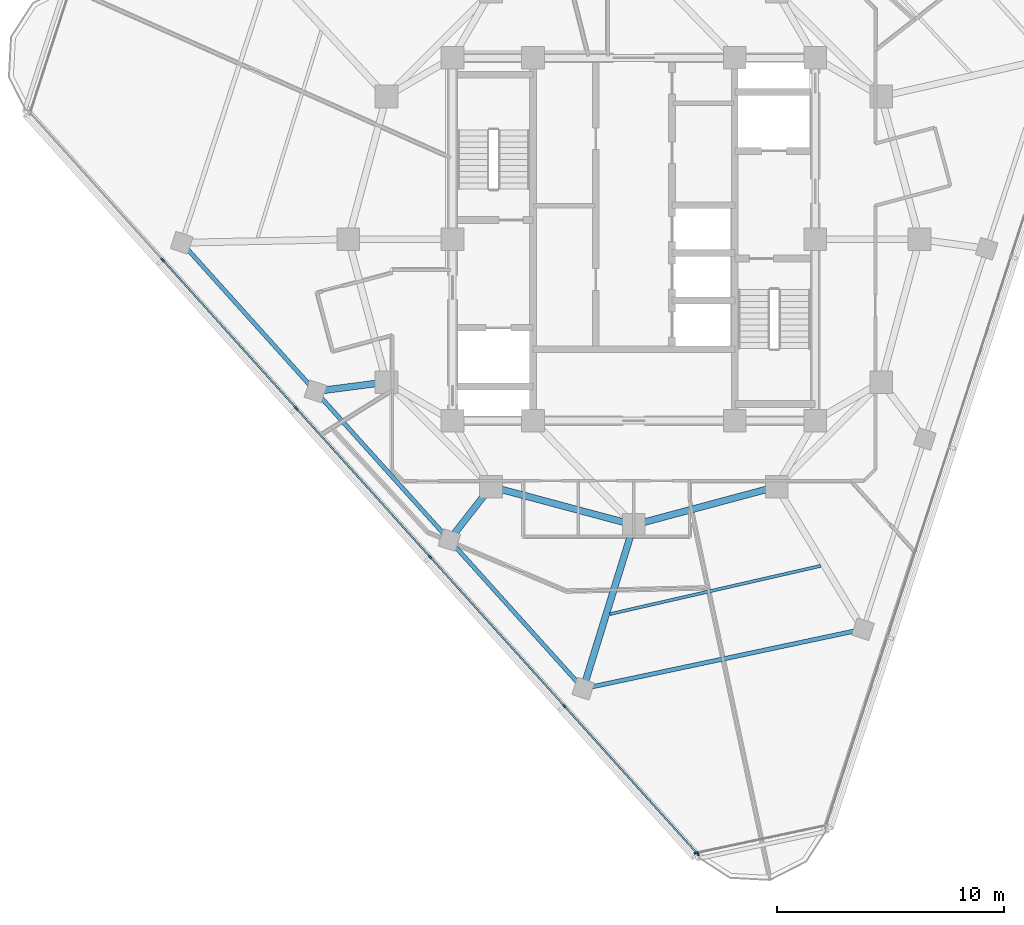
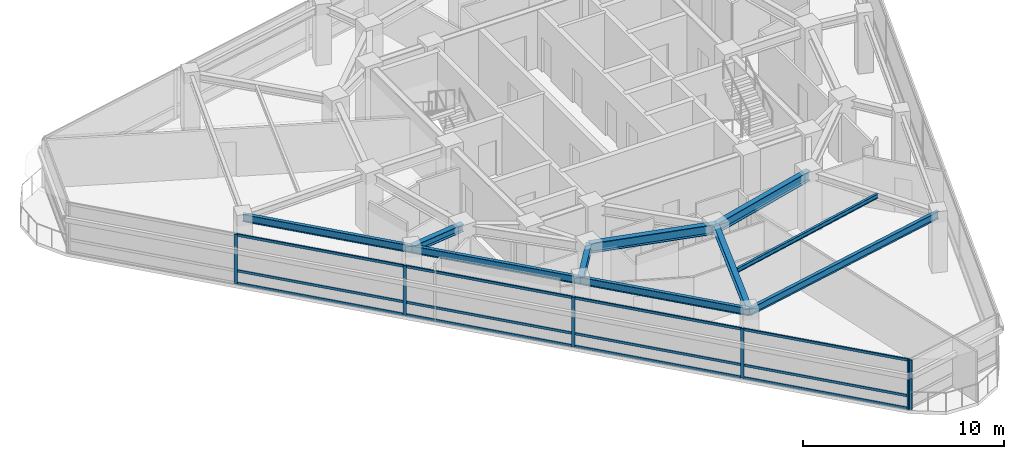
# One storey, part 2 of 15: 18 members, 10 beams, 2 elements without a shape of their own.
"""IFC4 building model written with IfcOpenShell, lengths in metres."""

from ifc_helpers import new_model, si_unit, direction, frame, origin, origin_2d, place, context, subcontext, project, spatial, rectangle, i_section, extrude, material, layer, layer_set, material_profile, profile_set, type_object, element, aggregate, save


model = new_model("IFC4")

# Units and contexts
model_context = context("Model", 3, precision=1e-05, world=origin(), true_north=direction((0.0, 1.0)))
body_context = subcontext(model_context, "Body", "Model", "MODEL_VIEW")
ifc_project = project(units=[si_unit("LENGTHUNIT", "METRE"), si_unit("AREAUNIT", "SQUARE_METRE"), si_unit("VOLUMEUNIT", "CUBIC_METRE"), si_unit("PLANEANGLEUNIT", "RADIAN"), si_unit("MASSUNIT", "GRAM", prefix="KILO")], contexts=[model_context])

# Site, building, storey
site_placement = place(None, origin())
site = spatial("IfcSite", under=ifc_project, at=site_placement, CompositionType="ELEMENT")
building_placement = place(site_placement, origin())
building = spatial("IfcBuilding", under=site, at=building_placement, Name="Terralouvre Media Tower", CompositionType="ELEMENT")
storey_placement = place(building_placement, frame((0.0, 0.0, 286.89990234375)))
storey = spatial("IfcBuildingStorey", under=building, at=storey_placement, Name="L74", CompositionType="ELEMENT", Elevation=286.89990234375)

# Beam
ifc_material_1 = material(Name="Structural steel S355J2", Category="steel")
ifc_material_profile_1 = material_profile(ifc_material_1, i_section(OverallWidth=0.135009765625, OverallDepth=0.27001953125, WebThickness=0.006591796875, FlangeThickness=0.01025390625, at=origin_2d()), Name="IPE 270")
ifc_profile_set_1 = profile_set([ifc_material_profile_1], Name="Structural steel S355J2")
beam_type_1 = type_object("IfcBeamType", Name="Composite Floor Joist J-IPE270 (IPE 270)", PredefinedType="JOIST", material=ifc_profile_set_1)
beam_1_placement = place(storey_placement, frame((-1.062744140625, -16.534912109375, 3.364990234375), z_axis=(0.974794010314, 0.223106784873, 0.0), x_axis=(-0.223106784873, 0.974794010314, 0.0)))
element("IfcBeam", 1, at=beam_1_placement, inside=storey, type_object=beam_type_1, Name="L74 Framing Beam JT-L74-02", PredefinedType="JOIST", context=body_context, shape_type="SweptSolid", body=[
    extrude(i_section(OverallWidth=0.135009765625, OverallDepth=0.27001953125, WebThickness=0.006591796875, FlangeThickness=0.01025390625, at=origin_2d()), origin(), (0.0, 0.0, 1.0), 9.544189453125),
])

# Curtain wall, members
ifc_material_2 = material(Name="Low-iron laminated double glazing with solar-control coating", Category="glass")
ifc_layer_1 = layer(ifc_material_2, 0.1650390625, Name="Faceted Glass-Point Crown Curtain Wall CW-06")
ifc_layer_set_1 = layer_set([ifc_layer_1], Name="Low-iron laminated double glazing with solar-control coating")
curtain_wall_type_1 = type_object("IfcCurtainWallType", Name="Faceted Glass-Point Crown Curtain Wall CW-06", PredefinedType="NOTDEFINED", material=ifc_layer_set_1)
curtain_wall_1_placement = place(storey_placement, origin())
curtain_wall_1 = element("IfcCurtainWall", 2, at=curtain_wall_1_placement, inside=storey, type_object=curtain_wall_type_1, Name="L74 Facade Curtain Wall F2", PredefinedType="NOTDEFINED")
ifc_material_3 = material(Name="Anodised extruded aluminium 6063-T6", Category="aluminium")
ifc_material_profile_2 = material_profile(ifc_material_3, rectangle(XDim=0.074951171875, YDim=0.14990234375, at=origin_2d()), Name="ALU 75x150")
ifc_profile_set_2 = profile_set([ifc_material_profile_2], Name="Anodised extruded aluminium 6063-T6")
member_type_1 = type_object("IfcMemberType", Name="Curtain-Wall Horizontal Transom TR-150", PredefinedType="USERDEFINED", material=ifc_profile_set_2)
member_1_placement = place(storey_placement, frame((-20.763671875, -0.935302734375, 0.03759765625), z_axis=(0.669121968521, -0.74315260293, 0.0), x_axis=(0.74315260293, 0.669121968521, 0.0)))
member_1 = element("IfcMember", 3, at=member_1_placement, type_object=member_type_1, Name="CW-06 transom 2.1", ObjectType="TRANSOM", PredefinedType="USERDEFINED", context=body_context, shape_type="SweptSolid", body=[
    extrude(rectangle(XDim=0.074951171875, YDim=0.14990234375, at=origin_2d()), origin(), (0.0, 0.0, 1.0), 8.749267578125),
])
member_2_placement = place(storey_placement, frame((-20.763671875, -0.935302734375, 0.800048828125), z_axis=(0.669121968521, -0.74315260293, 0.0), x_axis=(0.74315260293, 0.669121968521, 0.0)))
member_2 = element("IfcMember", 4, at=member_2_placement, type_object=member_type_1, Name="CW-06 transom 2.2", ObjectType="TRANSOM", PredefinedType="USERDEFINED", context=body_context, shape_type="SweptSolid", body=[
    extrude(rectangle(XDim=0.074951171875, YDim=0.14990234375, at=origin_2d()), origin(), (0.0, 0.0, 1.0), 8.749267578125),
])
member_3_placement = place(storey_placement, frame((-20.763671875, -0.935302734375, 2.962646484375), z_axis=(0.669121968521, -0.74315260293, 0.0), x_axis=(0.74315260293, 0.669121968521, 0.0)))
member_3 = element("IfcMember", 5, at=member_3_placement, type_object=member_type_1, Name="CW-06 transom 2.3", ObjectType="TRANSOM", PredefinedType="USERDEFINED", context=body_context, shape_type="SweptSolid", body=[
    extrude(rectangle(XDim=0.074951171875, YDim=0.14990234375, at=origin_2d()), origin(), (0.0, 0.0, 1.0), 8.749267578125),
])
member_4_placement = place(storey_placement, frame((-14.859375, -7.492919921875, 0.03759765625), z_axis=(0.669135844476, -0.743140109022, 0.0), x_axis=(0.743140109022, 0.669135844476, 0.0)))
member_4 = element("IfcMember", 6, at=member_4_placement, type_object=member_type_1, Name="CW-06 transom 3.1", ObjectType="TRANSOM", PredefinedType="USERDEFINED", context=body_context, shape_type="SweptSolid", body=[
    extrude(rectangle(XDim=0.074951171875, YDim=0.14990234375, at=origin_2d()), origin(), (0.0, 0.0, 1.0), 8.7490234375),
])
member_5_placement = place(storey_placement, frame((-14.859375, -7.492919921875, 0.800048828125), z_axis=(0.669135844476, -0.743140109022, 0.0), x_axis=(0.743140109022, 0.669135844476, 0.0)))
member_5 = element("IfcMember", 7, at=member_5_placement, type_object=member_type_1, Name="CW-06 transom 3.2", ObjectType="TRANSOM", PredefinedType="USERDEFINED", context=body_context, shape_type="SweptSolid", body=[
    extrude(rectangle(XDim=0.074951171875, YDim=0.14990234375, at=origin_2d()), origin(), (0.0, 0.0, 1.0), 8.7490234375),
])
member_6_placement = place(storey_placement, frame((-14.859375, -7.492919921875, 2.962646484375), z_axis=(0.669135844476, -0.743140109022, 0.0), x_axis=(0.743140109022, 0.669135844476, 0.0)))
member_6 = element("IfcMember", 8, at=member_6_placement, type_object=member_type_1, Name="CW-06 transom 3.3", ObjectType="TRANSOM", PredefinedType="USERDEFINED", context=body_context, shape_type="SweptSolid", body=[
    extrude(rectangle(XDim=0.074951171875, YDim=0.14990234375, at=origin_2d()), origin(), (0.0, 0.0, 1.0), 8.7490234375),
])
member_7_placement = place(storey_placement, frame((-8.954833984375, -14.050537109375, 0.03759765625), z_axis=(0.669135844476, -0.743140109022, 0.0), x_axis=(0.743140109022, 0.669135844476, 0.0)))
member_7 = element("IfcMember", 9, at=member_7_placement, type_object=member_type_1, Name="CW-06 transom 4.1", ObjectType="TRANSOM", PredefinedType="USERDEFINED", context=body_context, shape_type="SweptSolid", body=[
    extrude(rectangle(XDim=0.074951171875, YDim=0.14990234375, at=origin_2d()), origin(), (0.0, 0.0, 1.0), 8.7490234375),
])
member_8_placement = place(storey_placement, frame((-8.954833984375, -14.050537109375, 0.800048828125), z_axis=(0.669135844476, -0.743140109022, 0.0), x_axis=(0.743140109022, 0.669135844476, 0.0)))
member_8 = element("IfcMember", 10, at=member_8_placement, type_object=member_type_1, Name="CW-06 transom 4.2", ObjectType="TRANSOM", PredefinedType="USERDEFINED", context=body_context, shape_type="SweptSolid", body=[
    extrude(rectangle(XDim=0.074951171875, YDim=0.14990234375, at=origin_2d()), origin(), (0.0, 0.0, 1.0), 8.7490234375),
])
member_9_placement = place(storey_placement, frame((-8.954833984375, -14.050537109375, 2.962646484375), z_axis=(0.669135844476, -0.743140109022, 0.0), x_axis=(0.743140109022, 0.669135844476, 0.0)))
member_9 = element("IfcMember", 11, at=member_9_placement, type_object=member_type_1, Name="CW-06 transom 4.3", ObjectType="TRANSOM", PredefinedType="USERDEFINED", context=body_context, shape_type="SweptSolid", body=[
    extrude(rectangle(XDim=0.074951171875, YDim=0.14990234375, at=origin_2d()), origin(), (0.0, 0.0, 1.0), 8.7490234375),
])
member_10_placement = place(storey_placement, frame((-3.050537109375, -20.60791015625, 0.03759765625), z_axis=(0.669130389016, -0.743145021174, 0.0), x_axis=(0.743145021174, 0.669130389016, 0.0)))
member_10 = element("IfcMember", 12, at=member_10_placement, type_object=member_type_1, Name="CW-06 transom 5.1", ObjectType="TRANSOM", PredefinedType="USERDEFINED", context=body_context, shape_type="SweptSolid", body=[
    extrude(rectangle(XDim=0.074951171875, YDim=0.14990234375, at=origin_2d()), origin(), (0.0, 0.0, 1.0), 8.71142578125),
])
member_11_placement = place(storey_placement, frame((-3.050537109375, -20.60791015625, 0.800048828125), z_axis=(0.669130389016, -0.743145021174, 0.0), x_axis=(0.743145021174, 0.669130389016, 0.0)))
member_11 = element("IfcMember", 13, at=member_11_placement, type_object=member_type_1, Name="CW-06 transom 5.2", ObjectType="TRANSOM", PredefinedType="USERDEFINED", context=body_context, shape_type="SweptSolid", body=[
    extrude(rectangle(XDim=0.074951171875, YDim=0.14990234375, at=origin_2d()), origin(), (0.0, 0.0, 1.0), 8.71142578125),
])
member_12_placement = place(storey_placement, frame((-3.050537109375, -20.60791015625, 2.962646484375), z_axis=(0.669130389016, -0.743145021174, 0.0), x_axis=(0.743145021174, 0.669130389016, 0.0)))
member_12 = element("IfcMember", 14, at=member_12_placement, type_object=member_type_1, Name="CW-06 transom 5.3", ObjectType="TRANSOM", PredefinedType="USERDEFINED", context=body_context, shape_type="SweptSolid", body=[
    extrude(rectangle(XDim=0.074951171875, YDim=0.14990234375, at=origin_2d()), origin(), (0.0, 0.0, 1.0), 8.71142578125),
])
ifc_material_4 = material(Name="Anodised extruded aluminium 6063-T6", Category="aluminium")
ifc_material_profile_3 = material_profile(ifc_material_4, rectangle(XDim=0.074951171875, YDim=0.179931640625, at=origin_2d()), Name="ALU 75x180")
ifc_profile_set_3 = profile_set([ifc_material_profile_3], Name="Anodised extruded aluminium 6063-T6")
member_type_2 = type_object("IfcMemberType", Name="Curtain-Wall Vertical Mullion ML-180", PredefinedType="MULLION", material=ifc_profile_set_3)
member_13_placement = place(storey_placement, frame((-20.788818359375, -0.907470703125, 0.0), z_axis=(0.0, 0.0, 1.0), x_axis=(0.743144855036, 0.669130573531, 0.0)))
member_13 = element("IfcMember", 15, at=member_13_placement, type_object=member_type_2, Name="CW-06 mullion 2", PredefinedType="MULLION", context=body_context, shape_type="SweptSolid", body=[
    extrude(rectangle(XDim=0.074951171875, YDim=0.179931640625, at=origin_2d()), origin(), (0.0, 0.0, 1.0), 3.0),
])
member_14_placement = place(storey_placement, frame((-14.88427734375, -7.465087890625, 0.0), z_axis=(0.0, 0.0, 1.0), x_axis=(0.743144855036, 0.669130573531, 0.0)))
member_14 = element("IfcMember", 16, at=member_14_placement, type_object=member_type_2, Name="CW-06 mullion 3", PredefinedType="MULLION", context=body_context, shape_type="SweptSolid", body=[
    extrude(rectangle(XDim=0.074951171875, YDim=0.179931640625, at=origin_2d()), origin(), (0.0, 0.0, 1.0), 3.0),
])
member_15_placement = place(storey_placement, frame((-8.97998046875, -14.0224609375, 0.0), z_axis=(0.0, 0.0, 1.0), x_axis=(0.743144855036, 0.669130573531, 0.0)))
member_15 = element("IfcMember", 17, at=member_15_placement, type_object=member_type_2, Name="CW-06 mullion 4", PredefinedType="MULLION", context=body_context, shape_type="SweptSolid", body=[
    extrude(rectangle(XDim=0.074951171875, YDim=0.179931640625, at=origin_2d()), origin(), (0.0, 0.0, 1.0), 3.0),
])
member_16_placement = place(storey_placement, frame((-3.07568359375, -20.580078125, 0.0), z_axis=(0.0, 0.0, 1.0), x_axis=(0.743144855036, 0.669130573531, 0.0)))
member_16 = element("IfcMember", 18, at=member_16_placement, type_object=member_type_2, Name="CW-06 mullion 5", PredefinedType="MULLION", context=body_context, shape_type="SweptSolid", body=[
    extrude(rectangle(XDim=0.074951171875, YDim=0.179931640625, at=origin_2d()), origin(), (0.0, 0.0, 1.0), 3.0),
])
member_17_placement = place(storey_placement, frame((2.8037109375, -27.109619140625, 0.0), z_axis=(0.0, 0.0, 1.0), x_axis=(0.743144855036, 0.669130573531, 0.0)))
member_17 = element("IfcMember", 19, at=member_17_placement, type_object=member_type_2, Name="CW-06 mullion 6", PredefinedType="MULLION", context=body_context, shape_type="SweptSolid", body=[
    extrude(rectangle(XDim=0.074951171875, YDim=0.179931640625, at=origin_2d()), origin(), (0.0, 0.0, 1.0), 3.0),
])
aggregate(curtain_wall_1, [member_13, member_14, member_15, member_16, member_17, member_1, member_2, member_3, member_4, member_5, member_6, member_7, member_8, member_9, member_10, member_11, member_12])

# Curtain wall, member
ifc_material_5 = material(Name="Low-iron laminated double glazing with solar-control coating", Category="glass")
ifc_layer_2 = layer(ifc_material_5, 0.1650390625, Name="Rounded Wind-Corner Curved Glazing CW-04")
ifc_layer_set_2 = layer_set([ifc_layer_2], Name="Low-iron laminated double glazing with solar-control coating")
curtain_wall_type_2 = type_object("IfcCurtainWallType", Name="Rounded Wind-Corner Curved Glazing CW-04", PredefinedType="NOTDEFINED", material=ifc_layer_set_2)
curtain_wall_2_placement = place(storey_placement, origin())
curtain_wall_2 = element("IfcCurtainWall", 20, at=curtain_wall_2_placement, inside=storey, type_object=curtain_wall_type_2, Name="L74 Rounded Wind-Corner Curtain Wall C0", PredefinedType="NOTDEFINED")
member_18_placement = place(storey_placement, frame((2.747314453125, -27.0732421875, 0.0), z_axis=(0.0, 0.0, 1.0), x_axis=(-0.207911647592, 0.978147609922, 0.0)))
member_18 = element("IfcMember", 21, at=member_18_placement, type_object=member_type_2, Name="CW-04 mullion 1", PredefinedType="MULLION", context=body_context, shape_type="SweptSolid", body=[
    extrude(rectangle(XDim=0.074951171875, YDim=0.179931640625, at=origin_2d()), origin(), (0.0, 0.0, 1.0), 3.0),
])
aggregate(curtain_wall_2, [member_18])

# Beams
ifc_material_6 = material(Name="Structural steel S355J2", Category="steel")
ifc_material_profile_4 = material_profile(ifc_material_6, i_section(OverallWidth=0.18994140625, OverallDepth=0.449951171875, WebThickness=0.009521484375, FlangeThickness=0.0146484375, at=origin_2d()), Name="IPE 450")
ifc_profile_set_4 = profile_set([ifc_material_profile_4], Name="Structural steel S355J2")
beam_type_2 = type_object("IfcBeamType", Name="Perimeter Spandrel Beam SPB-450 (IPE 450)", PredefinedType="SPANDREL", material=ifc_profile_set_4)
for number, where, z_axis, x_axis, name in (
    (22, (-19.948974609375, -0.1513671875, 3.275146484375), (0.669117578136, -0.743156555935, 0.0), (0.743156555935, 0.669117578136, 0.0), "L74 Framing Beam BM-L74-PR01"),
    (23, (-14.044677734375, -6.708984375, 3.275146484375), (0.669146616148, -0.743130409887, 0.0), (0.743130409887, 0.669146616148, 0.0), "L74 Framing Beam BM-L74-PR02"),
    (24, (-8.14013671875, -13.266357421875, 3.275146484375), (0.669117578136, -0.743156555935, 0.0), (0.743156555935, 0.669117578136, 0.0), "L74 Framing Beam BM-L74-PR03"),
):
    element("IfcBeam", number, at=place(storey_placement, frame(where, z_axis=z_axis, x_axis=x_axis)), inside=storey, type_object=beam_type_2, Name=name, PredefinedType="SPANDREL", context=body_context, shape_type="SweptSolid", body=[
        extrude(i_section(OverallWidth=0.18994140625, OverallDepth=0.449951171875, WebThickness=0.009521484375, FlangeThickness=0.0146484375, at=origin_2d()), origin(), (0.0, 0.0, 1.0), 8.823974609375),
    ])
beam_2_placement = place(storey_placement, frame((-2.23583984375, -19.823974609375, 3.275146484375), z_axis=(0.978147391184, 0.207912676669, 0.0), x_axis=(-0.207912676669, 0.978147391184, 0.0)))
element("IfcBeam", 25, at=beam_2_placement, inside=storey, type_object=beam_type_2, Name="L74 Framing Beam BM-L74-PR04", PredefinedType="SPANDREL", context=body_context, shape_type="SweptSolid", body=[
    extrude(i_section(OverallWidth=0.18994140625, OverallDepth=0.449951171875, WebThickness=0.009521484375, FlangeThickness=0.0146484375, at=origin_2d()), origin(), (0.0, 0.0, 1.0), 12.6171875),
])
ifc_material_7 = material(Name="Structural steel S355J2", Category="steel")
ifc_material_profile_5 = material_profile(ifc_material_7, i_section(OverallWidth=0.300048828125, OverallDepth=0.449951171875, WebThickness=0.013916015625, FlangeThickness=0.02587890625, at=origin_2d()), Name="HEB 450")
ifc_profile_set_5 = profile_set([ifc_material_profile_5], Name="Structural steel S355J2")
beam_type_3 = type_object("IfcBeamType", Name="Primary Floor Girder B-HEB450 (HEB 450)", PredefinedType="BEAM", material=ifc_profile_set_5)
beam_3_placement = place(storey_placement, frame((-10.911865234375, -6.300048828125, 3.275146484375), z_axis=(-0.991587910477, -0.129434986756, 0.0), x_axis=(0.129434986756, -0.991587910477, 0.0)))
element("IfcBeam", 26, at=beam_3_placement, inside=storey, type_object=beam_type_3, Name="L74 Framing Beam BM-L74-RD02", PredefinedType="BEAM", context=body_context, shape_type="SweptSolid", body=[
    extrude(i_section(OverallWidth=0.300048828125, OverallDepth=0.449951171875, WebThickness=0.013916015625, FlangeThickness=0.02587890625, at=origin_2d()), origin(), (0.0, 0.0, 1.0), 3.159423828125),
])
beam_4_placement = place(storey_placement, frame((-6.300048828125, -10.911865234375, 3.275146484375), z_axis=(-0.615777211554, -0.787920316867, 0.0), x_axis=(0.787920316867, -0.615777211554, 0.0)))
element("IfcBeam", 27, at=beam_4_placement, inside=storey, type_object=beam_type_3, Name="L74 Framing Beam BM-L74-RD03", PredefinedType="BEAM", context=body_context, shape_type="SweptSolid", body=[
    extrude(i_section(OverallWidth=0.300048828125, OverallDepth=0.449951171875, WebThickness=0.013916015625, FlangeThickness=0.02587890625, at=origin_2d()), origin(), (0.0, 0.0, 1.0), 2.98828125),
])
beam_5_placement = place(storey_placement, frame((0.0, -12.60009765625, 3.275146484375), z_axis=(-0.295668996709, -0.955290450274, 0.0), x_axis=(0.955290450274, -0.295668996709, 0.0)))
element("IfcBeam", 28, at=beam_5_placement, inside=storey, type_object=beam_type_3, Name="L74 Framing Beam BM-L74-RD04", PredefinedType="BEAM", context=body_context, shape_type="SweptSolid", body=[
    extrude(i_section(OverallWidth=0.300048828125, OverallDepth=0.449951171875, WebThickness=0.013916015625, FlangeThickness=0.02587890625, at=origin_2d()), origin(), (0.0, 0.0, 1.0), 7.56201171875),
])
ifc_material_8 = material(Name="Structural steel S460M", Category="steel")
ifc_material_profile_6 = material_profile(ifc_material_8, i_section(OverallWidth=0.300048828125, OverallDepth=0.60009765625, WebThickness=0.015380859375, FlangeThickness=0.030029296875, at=origin_2d()), Name="HEB 600")
ifc_profile_set_6 = profile_set([ifc_material_profile_6], Name="Structural steel S460M")
beam_type_4 = type_object("IfcBeamType", Name="Primary Floor Girder B-HEB600 (HEB 600)", PredefinedType="BEAM", material=ifc_profile_set_6)
for number, where, z_axis, x_axis, name in (
    (29, (-6.300048828125, -10.911865234375, 3.2001953125), (0.965920481897, -0.258838989821, 0.0), (0.258838989821, 0.965920481897, 0.0), "L74 Framing Beam BM-L74-MR02"),
    (30, (0.0, -12.60009765625, 3.2001953125), (0.965920481897, 0.258838989821, 0.0), (-0.258838989821, 0.965920481897, 0.0), "L74 Framing Beam BM-L74-MR03"),
):
    element("IfcBeam", number, at=place(storey_placement, frame(where, z_axis=z_axis, x_axis=x_axis)), inside=storey, type_object=beam_type_4, Name=name, PredefinedType="BEAM", context=body_context, shape_type="SweptSolid", body=[
        extrude(i_section(OverallWidth=0.300048828125, OverallDepth=0.60009765625, WebThickness=0.015380859375, FlangeThickness=0.030029296875, at=origin_2d()), origin(), (0.0, 0.0, 1.0), 6.522216796875),
    ])

save(model, "model.ifc")
